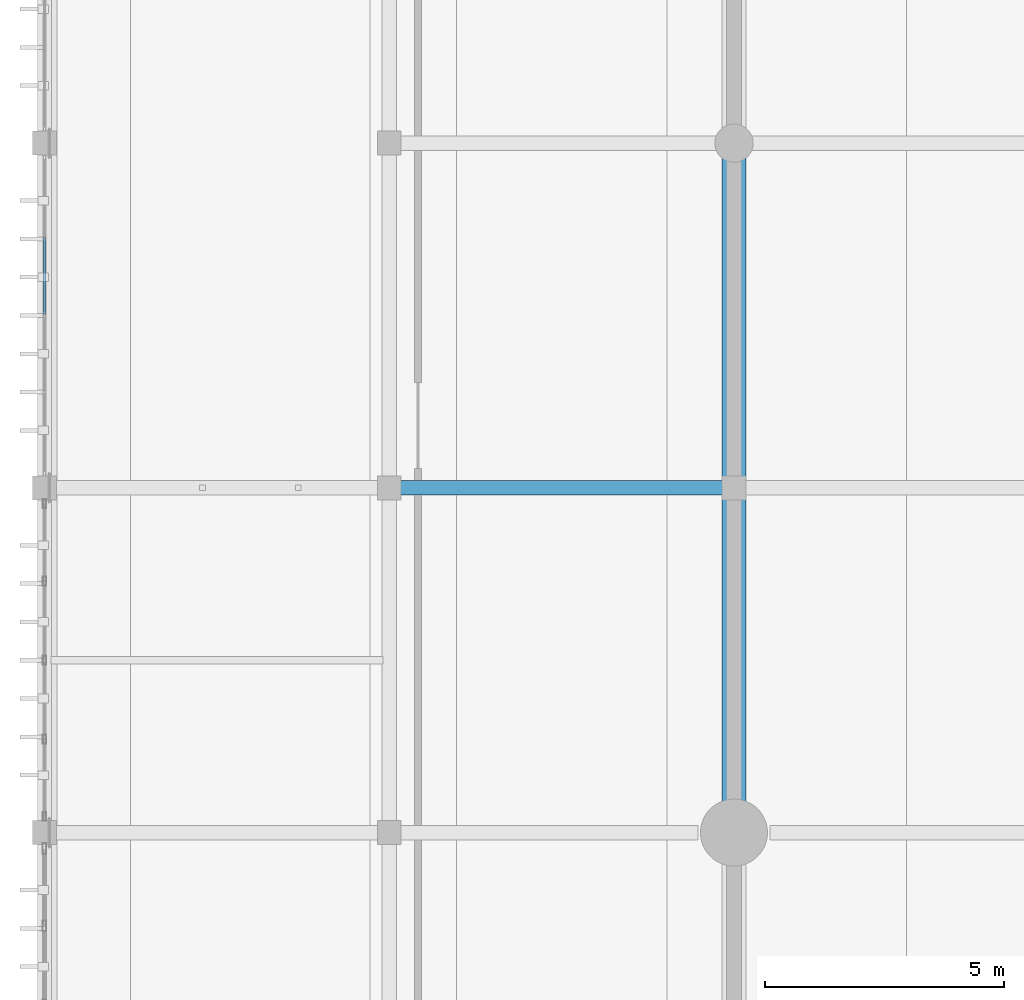
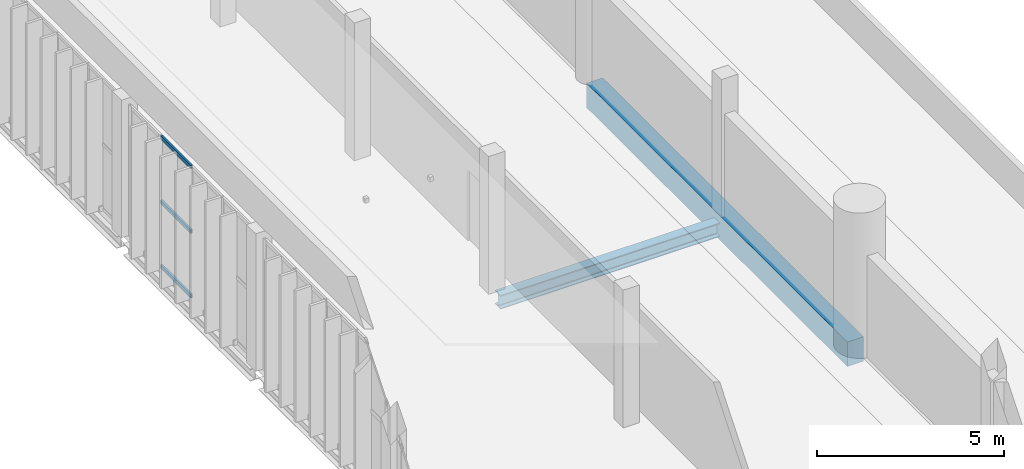
# One storey, part 10 of 64: 3 members, 2 beams, 1 element without a shape of its own.
"""IFC4 building model written with IfcOpenShell, lengths in metres."""

from ifc_helpers import new_model, si_unit, direction, frame, origin, origin_2d, place, context, subcontext, project, spatial, rectangle, hollow_rectangle, i_section, extrude, material, material_profile, profile_set, type_object, element, aggregate, save


model = new_model("IFC4")

# Units and contexts
model_context = context("Model", 3, precision=1e-05, world=origin(), true_north=direction((0.0, 1.0)))
body_context = subcontext(model_context, "Body", "Model", "MODEL_VIEW")
ifc_project = project(units=[si_unit("LENGTHUNIT", "METRE"), si_unit("AREAUNIT", "SQUARE_METRE"), si_unit("VOLUMEUNIT", "CUBIC_METRE"), si_unit("PLANEANGLEUNIT", "RADIAN"), si_unit("MASSUNIT", "GRAM", prefix="KILO")], contexts=[model_context])

# Site, building, storey
site_placement = place(None, origin())
site = spatial("IfcSite", under=ifc_project, at=site_placement, CompositionType="ELEMENT")
building_placement = place(site_placement, origin())
building = spatial("IfcBuilding", under=site, at=building_placement, Name="Qandorah Velis Arena", CompositionType="ELEMENT")
storey_placement = place(building_placement, frame((0.0, 0.0, 23.0)))
storey = spatial("IfcBuildingStorey", under=building, at=storey_placement, Name="L05", CompositionType="ELEMENT", Elevation=23.0)

# Curtain wall, members
ifc_material_1 = material(Name="Solar-control low-E double glazing", Category="glass")
curtain_wall_type = type_object("IfcCurtainWallType", Name="ARC-CW-SYS19", PredefinedType="USERDEFINED", material=ifc_material_1)
curtain_wall_placement = place(storey_placement, origin())
curtain_wall = element("IfcCurtainWall", 1, at=curtain_wall_placement, inside=storey, type_object=curtain_wall_type, Name="Unitised curtain wall L05-043", ObjectType="UNITISED CURTAIN WALL", PredefinedType="USERDEFINED")
ifc_material_2 = material(Name="Champagne-bronze anodized aluminium 6063-T6", Category="aluminium")
ifc_material_profile_1 = material_profile(ifc_material_2, hollow_rectangle(XDim=0.06005859375, YDim=0.1201171875, WallThickness=0.0029296875, at=origin_2d()), Name="ALU TRANSOM 60x120")
ifc_profile_set_1 = profile_set([ifc_material_profile_1], Name="Champagne-bronze anodized aluminium 6063-T6")
member_type = type_object("IfcMemberType", Name="ARC-CWT-120", PredefinedType="USERDEFINED", material=ifc_profile_set_1)
member_1_placement = place(storey_placement, frame((0.0, 39.617919921875, 0.030029296875), z_axis=(0.0, 1.0, 0.0), x_axis=(-1.0, 0.0, 0.0)))
member_1 = element("IfcMember", 2, at=member_1_placement, type_object=member_type, Name="CW19 transom 3.1", ObjectType="TRANSOM", PredefinedType="USERDEFINED", context=body_context, shape_type="SweptSolid", body=[
    extrude(hollow_rectangle(XDim=0.06005859375, YDim=0.1201171875, WallThickness=0.0029296875, at=origin_2d()), origin(), (0.0, 0.0, 1.0), 1.614013671875),
])
member_2_placement = place(storey_placement, frame((0.0, 39.617919921875, 2.139892578125), z_axis=(0.0, 1.0, 0.0), x_axis=(-1.0, 0.0, 0.0)))
member_2 = element("IfcMember", 3, at=member_2_placement, type_object=member_type, Name="CW19 transom 3.2", ObjectType="TRANSOM", PredefinedType="USERDEFINED", context=body_context, shape_type="SweptSolid", body=[
    extrude(hollow_rectangle(XDim=0.06005859375, YDim=0.1201171875, WallThickness=0.0029296875, at=origin_2d()), origin(), (0.0, 0.0, 1.0), 1.614013671875),
])
member_3_placement = place(storey_placement, frame((0.0, 39.617919921875, 4.25), z_axis=(0.0, 1.0, 0.0), x_axis=(-1.0, 0.0, 0.0)))
member_3 = element("IfcMember", 4, at=member_3_placement, type_object=member_type, Name="CW19 transom 3.3", ObjectType="TRANSOM", PredefinedType="USERDEFINED", context=body_context, shape_type="SweptSolid", body=[
    extrude(hollow_rectangle(XDim=0.06005859375, YDim=0.1201171875, WallThickness=0.0029296875, at=origin_2d()), origin(), (0.0, 0.0, 1.0), 1.614013671875),
])
aggregate(curtain_wall, [member_1, member_2, member_3])

# Beams
ifc_material_3 = material(Name="Steel S355", Category="steel")
ifc_material_profile_2 = material_profile(ifc_material_3, i_section(OverallWidth=0.300048828125, OverallDepth=0.449951171875, WebThickness=0.013916015625, FlangeThickness=0.02587890625, FilletRadius=0.027099609375, at=origin_2d()), Name="HEB 450")
ifc_profile_set_2 = profile_set([ifc_material_profile_2], Name="Steel S355")
beam_type_1 = type_object("IfcBeamType", Name="STR-BM-HEB450", PredefinedType="BEAM", material=ifc_profile_set_2)
beam_1_placement = place(storey_placement, frame((7.37841796875, 36.0, -0.47509765625), z_axis=(1.0, 0.0, 0.0), x_axis=(0.0, 1.0, 0.0)))
element("IfcBeam", 5, at=beam_1_placement, inside=storey, type_object=beam_type_1, Name="Primary floor girder L05 X-046", PredefinedType="BEAM", context=body_context, shape_type="SweptSolid", body=[
    extrude(i_section(OverallWidth=0.300048828125, OverallDepth=0.449951171875, WebThickness=0.013916015625, FlangeThickness=0.02587890625, FilletRadius=0.027099609375, at=origin_2d()), origin(), (0.0, 0.0, 1.0), 6.843017578125),
])
ifc_material_4 = material(Name="Concrete C40/50", Category="concrete")
ifc_material_profile_3 = material_profile(ifc_material_4, rectangle(XDim=0.5, YDim=0.800048828125, at=origin_2d()), Name="RC BM 500x800")
ifc_profile_set_3 = profile_set([ifc_material_profile_3], Name="Concrete C40/50")
beam_type_2 = type_object("IfcBeamType", Name="STR-RCBM-500X800", PredefinedType="BEAM", material=ifc_profile_set_3)
beam_2_placement = place(storey_placement, frame((14.39990234375, 29.02001953125, -0.39990234375), z_axis=(0.0, 1.0, 0.0), x_axis=(-1.0, 0.0, 0.0)))
element("IfcBeam", 6, at=beam_2_placement, inside=storey, type_object=beam_type_2, Name="Drum west ring beam L05-2", PredefinedType="BEAM", context=body_context, shape_type="SweptSolid", body=[
    extrude(rectangle(XDim=0.5, YDim=0.800048828125, at=origin_2d()), origin(), (0.0, 0.0, 1.0), 13.9599609375),
])

save(model, "model.ifc")
